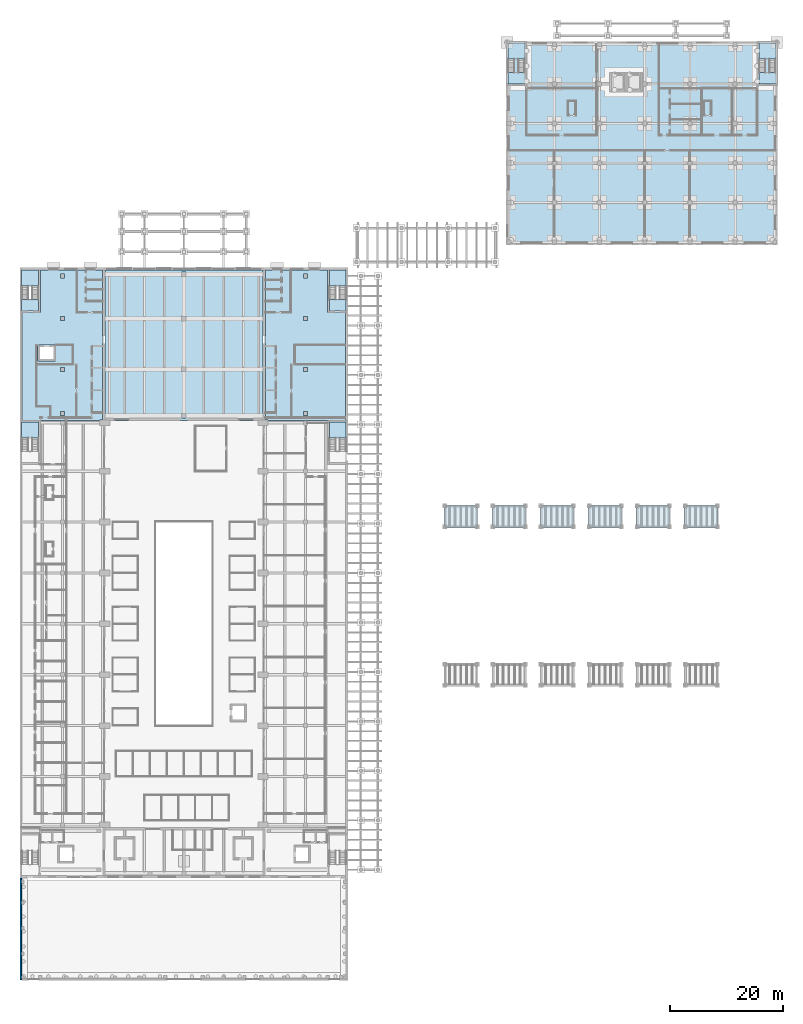
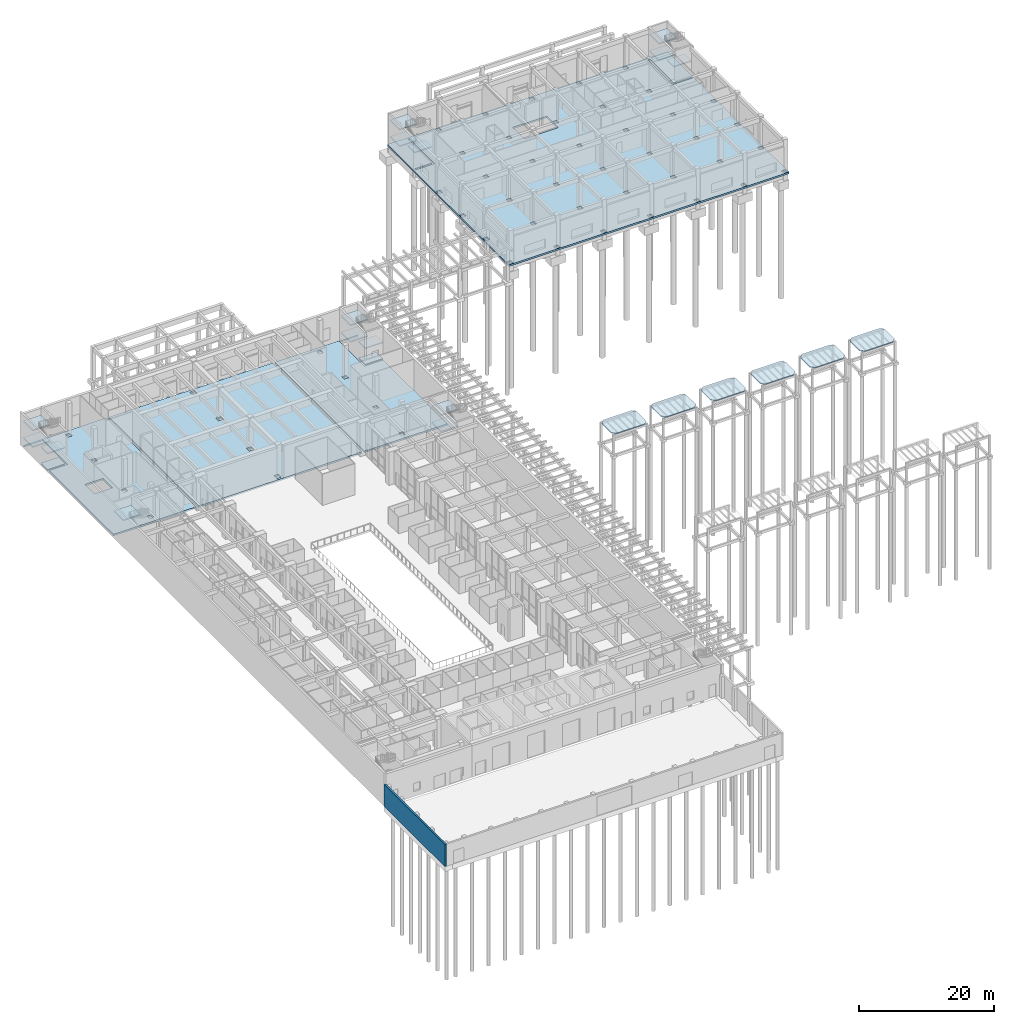
# One storey, part 27 of 51: 27 slabs, 1 wall, 6 elements without a shape of their own.
"""IFC4 building model written with IfcOpenShell, lengths in metres."""

from ifc_helpers import new_model, si_unit, direction, frame, frame_2d, origin, place, context, subcontext, project, spatial, polyline, rectangle, outline, extrude, material, layer, layer_set, type_object, element, aggregate, save


model = new_model("IFC4")

# Units and contexts
model_context = context("Model", 3, precision=1e-05, world=origin(), true_north=direction((0.0, 1.0)))
body_context = subcontext(model_context, "Body", "Model", "MODEL_VIEW")
ifc_project = project(units=[si_unit("LENGTHUNIT", "METRE"), si_unit("AREAUNIT", "SQUARE_METRE"), si_unit("VOLUMEUNIT", "CUBIC_METRE"), si_unit("PLANEANGLEUNIT", "RADIAN"), si_unit("MASSUNIT", "GRAM", prefix="KILO")], contexts=[model_context])

# Site, building, storey
site_placement = place(None, origin())
site = spatial("IfcSite", under=ifc_project, at=site_placement, CompositionType="ELEMENT")
building_placement = place(site_placement, origin())
building = spatial("IfcBuilding", under=site, at=building_placement, Name="Elmora Arch Market Hall", CompositionType="ELEMENT")
storey_placement = place(building_placement, origin())
storey = spatial("IfcBuildingStorey", under=building, at=storey_placement, Name="L00", CompositionType="ELEMENT", Elevation=0.0)

# Slabs
ifc_material_1 = material(Name="Concrete C32/40", Category="concrete")
ifc_layer_1 = layer(ifc_material_1, 0.14990234375)
ifc_layer_set_1 = layer_set([ifc_layer_1], Name="Concrete C32/40")
slab_type_1 = type_object("IfcSlabType", Name="Canopy slab 150", PredefinedType="ROOF", material=ifc_layer_set_1)
slab_1_placement = place(storey_placement, frame((0.0, 0.0, 3.35009765625)))
element("IfcSlab", 1, at=slab_1_placement, inside=storey, type_object=slab_type_1, Name="Stall canopy plate", PredefinedType="ROOF", context=body_context, shape_type="SweptSolid", body=[
    extrude(outline(polyline([(75.0, 80.60009765625), (75.0, 83.39990234375), (75.60009765625, 84.0), (80.39990234375, 84.0), (81.0, 83.39990234375), (81.0, 80.60009765625), (80.39990234375, 80.0), (75.60009765625, 80.0), (75.0, 80.60009765625)])), origin(), (0.0, 0.0, 1.0), 0.14990234375),
])
slab_2_placement = place(storey_placement, frame((0.0, 0.0, 3.35009765625)))
element("IfcSlab", 2, at=slab_2_placement, inside=storey, type_object=slab_type_1, Name="Stall canopy plate", PredefinedType="ROOF", context=body_context, shape_type="SweptSolid", body=[
    extrude(outline(polyline([(83.5, 80.60009765625), (83.5, 83.39990234375), (84.10009765625, 84.0), (88.89990234375, 84.0), (89.5, 83.39990234375), (89.5, 80.60009765625), (88.89990234375, 80.0), (84.10009765625, 80.0), (83.5, 80.60009765625)])), origin(), (0.0, 0.0, 1.0), 0.14990234375),
])
slab_3_placement = place(storey_placement, frame((0.0, 0.0, 3.35009765625)))
element("IfcSlab", 3, at=slab_3_placement, inside=storey, type_object=slab_type_1, Name="Stall canopy plate", PredefinedType="ROOF", context=body_context, shape_type="SweptSolid", body=[
    extrude(outline(polyline([(92.0, 80.60009765625), (92.0, 83.39990234375), (92.60009765625, 84.0), (97.39990234375, 84.0), (98.0, 83.39990234375), (98.0, 80.60009765625), (97.39990234375, 80.0), (92.60009765625, 80.0), (92.0, 80.60009765625)])), origin(), (0.0, 0.0, 1.0), 0.14990234375),
])
slab_4_placement = place(storey_placement, frame((0.0, 0.0, 3.35009765625)))
element("IfcSlab", 4, at=slab_4_placement, inside=storey, type_object=slab_type_1, Name="Stall canopy plate", PredefinedType="ROOF", context=body_context, shape_type="SweptSolid", body=[
    extrude(outline(polyline([(100.5, 80.60009765625), (100.5, 83.39990234375), (101.10009765625, 84.0), (105.89990234375, 84.0), (106.5, 83.39990234375), (106.5, 80.60009765625), (105.89990234375, 80.0), (101.10009765625, 80.0), (100.5, 80.60009765625)])), origin(), (0.0, 0.0, 1.0), 0.14990234375),
])
slab_5_placement = place(storey_placement, frame((0.0, 0.0, 3.35009765625)))
element("IfcSlab", 5, at=slab_5_placement, inside=storey, type_object=slab_type_1, Name="Stall canopy plate", PredefinedType="ROOF", context=body_context, shape_type="SweptSolid", body=[
    extrude(outline(polyline([(109.0, 80.60009765625), (109.0, 83.39990234375), (109.60009765625, 84.0), (114.39990234375, 84.0), (115.0, 83.39990234375), (115.0, 80.60009765625), (114.39990234375, 80.0), (109.60009765625, 80.0), (109.0, 80.60009765625)])), origin(), (0.0, 0.0, 1.0), 0.14990234375),
])
slab_6_placement = place(storey_placement, frame((0.0, 0.0, 3.35009765625)))
element("IfcSlab", 6, at=slab_6_placement, inside=storey, type_object=slab_type_1, Name="Stall canopy plate", PredefinedType="ROOF", context=body_context, shape_type="SweptSolid", body=[
    extrude(outline(polyline([(117.5, 80.60009765625), (117.5, 83.39990234375), (118.10009765625, 84.0), (122.89990234375, 84.0), (123.5, 83.39990234375), (123.5, 80.60009765625), (122.89990234375, 80.0), (118.10009765625, 80.0), (117.5, 80.60009765625)])), origin(), (0.0, 0.0, 1.0), 0.14990234375),
])
ifc_material_2 = material(Name="Concrete C32/40", Category="concrete")
ifc_layer_2 = layer(ifc_material_2, 0.300048828125)
ifc_layer_set_2 = layer_set([ifc_layer_2], Name="Concrete C32/40")
slab_type_2 = type_object("IfcSlabType", Name="Floor slab 300", PredefinedType="FLOOR", material=ifc_layer_set_2)
slab_7_placement = place(storey_placement, frame((0.0, 0.0, -0.300048828125)))
element("IfcSlab", 7, at=slab_7_placement, inside=storey, type_object=slab_type_2, Name="L00 floor slab NW", PredefinedType="FLOOR", context=body_context, shape_type="SweptSolid", body=[
    extrude(outline(polyline([(0.40087890625, 99.0), (0.40087890625, 118.049072265625), (3.60107421875, 118.049072265625), (3.60107421875, 125.551025390625), (0.40087890625, 125.551025390625), (0.40087890625, 125.59912109375), (14.59912109375, 125.59912109375), (14.59912109375, 99.051025390625), (14.09912109375, 99.051025390625), (14.09912109375, 99.0), (0.40087890625, 99.0)]), holes=[polyline([(7.85107421875, 124.85107421875), (7.14892578125, 124.85107421875), (7.14892578125, 124.14892578125), (7.85107421875, 124.14892578125), (7.85107421875, 124.85107421875)]), polyline([(7.85107421875, 117.35107421875), (7.14892578125, 117.35107421875), (7.14892578125, 116.64892578125), (7.85107421875, 116.64892578125), (7.85107421875, 117.35107421875)]), polyline([(7.85107421875, 108.35107421875), (7.14892578125, 108.35107421875), (7.14892578125, 107.64892578125), (7.85107421875, 107.64892578125), (7.85107421875, 108.35107421875)]), polyline([(7.85107421875, 100.551025390625), (7.14892578125, 100.551025390625), (7.14892578125, 99.84912109375), (7.85107421875, 99.84912109375), (7.85107421875, 100.551025390625)]), polyline([(6.301025390625, 112.301025390625), (3.198974609375, 112.301025390625), (3.198974609375, 109.4990234375), (6.301025390625, 109.4990234375), (6.301025390625, 112.301025390625)])]), origin(), (0.0, 0.0, 1.0), 0.300048828125),
])
slab_8_placement = place(storey_placement, frame((0.0, 0.0, -0.300048828125)))
element("IfcSlab", 8, at=slab_8_placement, inside=storey, type_object=slab_type_2, Name="L00 floor slab NE", PredefinedType="FLOOR", context=body_context, shape_type="SweptSolid", body=[
    extrude(outline(polyline([(43.90087890625, 99.0), (43.90087890625, 99.051025390625), (43.40087890625, 99.051025390625), (43.40087890625, 125.59912109375), (57.59912109375, 125.59912109375), (57.59912109375, 125.551025390625), (54.39892578125, 125.551025390625), (54.39892578125, 118.049072265625), (57.59912109375, 118.049072265625), (57.59912109375, 99.0), (43.90087890625, 99.0)]), holes=[polyline([(50.85107421875, 117.35107421875), (50.14892578125, 117.35107421875), (50.14892578125, 116.64892578125), (50.85107421875, 116.64892578125), (50.85107421875, 117.35107421875)]), polyline([(50.85107421875, 124.85107421875), (50.14892578125, 124.85107421875), (50.14892578125, 124.14892578125), (50.85107421875, 124.14892578125), (50.85107421875, 124.85107421875)]), polyline([(50.85107421875, 108.35107421875), (50.14892578125, 108.35107421875), (50.14892578125, 107.64892578125), (50.85107421875, 107.64892578125), (50.85107421875, 108.35107421875)]), polyline([(50.85107421875, 100.551025390625), (50.14892578125, 100.551025390625), (50.14892578125, 99.84912109375), (50.85107421875, 99.84912109375), (50.85107421875, 100.551025390625)])]), origin(), (0.0, 0.0, 1.0), 0.300048828125),
])
slab_9_placement = place(storey_placement, frame((0.0, 0.0, -0.300048828125)))
element("IfcSlab", 9, at=slab_9_placement, inside=storey, type_object=slab_type_2, Name="L00 floor slab NM", PredefinedType="FLOOR", context=body_context, shape_type="SweptSolid", body=[
    extrude(outline(polyline([(15.90087890625, 99.0), (15.90087890625, 99.051025390625), (15.0009765625, 99.051025390625), (15.0009765625, 125.59912109375), (42.9990234375, 125.59912109375), (42.9990234375, 99.051025390625), (42.09912109375, 99.051025390625), (42.09912109375, 99.0), (15.90087890625, 99.0)]), holes=[polyline([(29.40087890625, 117.40087890625), (28.59912109375, 117.40087890625), (28.59912109375, 116.59912109375), (29.40087890625, 116.59912109375), (29.40087890625, 117.40087890625)]), polyline([(29.40087890625, 100.200927734375), (28.59912109375, 100.200927734375), (28.59912109375, 99.39892578125), (29.40087890625, 99.39892578125), (29.40087890625, 100.200927734375)]), polyline([(29.40087890625, 108.40087890625), (28.59912109375, 108.40087890625), (28.59912109375, 107.59912109375), (29.40087890625, 107.59912109375), (29.40087890625, 108.40087890625)]), polyline([(29.40087890625, 125.200927734375), (28.59912109375, 125.200927734375), (28.59912109375, 124.39892578125), (29.40087890625, 124.39892578125), (29.40087890625, 125.200927734375)])]), origin(), (0.0, 0.0, 1.0), 0.300048828125),
])
slab_10_placement = place(storey_placement, frame((0.0, 0.0, -0.300048828125)))
element("IfcSlab", 10, at=slab_10_placement, inside=storey, type_object=slab_type_2, Name="L00 floor slab SCH", PredefinedType="FLOOR", context=body_context, shape_type="SweptSolid", body=[
    extrude(outline(polyline([(86.0, 130.0), (86.0, 166.0), (134.0, 166.0), (134.0, 130.0), (86.0, 130.0)]), holes=[polyline([(133.85107421875, 151.85107421875), (133.14892578125, 151.85107421875), (133.14892578125, 151.14892578125), (133.85107421875, 151.14892578125), (133.85107421875, 151.85107421875)]), polyline([(133.85107421875, 144.85107421875), (133.14892578125, 144.85107421875), (133.14892578125, 144.14892578125), (133.85107421875, 144.14892578125), (133.85107421875, 144.85107421875)]), polyline([(133.85107421875, 137.85107421875), (133.14892578125, 137.85107421875), (133.14892578125, 137.14892578125), (133.85107421875, 137.14892578125), (133.85107421875, 137.85107421875)]), polyline([(133.85107421875, 130.85107421875), (133.14892578125, 130.85107421875), (133.14892578125, 130.14892578125), (133.85107421875, 130.14892578125), (133.85107421875, 130.85107421875)]), polyline([(130.39892578125, 165.700927734375), (130.39892578125, 158.198974609375), (133.700927734375, 158.198974609375), (133.700927734375, 158.5009765625), (130.700927734375, 158.5009765625), (130.700927734375, 165.700927734375), (130.39892578125, 165.700927734375)]), polyline([(126.85107421875, 165.85107421875), (126.14892578125, 165.85107421875), (126.14892578125, 165.14892578125), (126.85107421875, 165.14892578125), (126.85107421875, 165.85107421875)]), polyline([(126.85107421875, 158.85107421875), (126.14892578125, 158.85107421875), (126.14892578125, 158.14892578125), (126.85107421875, 158.14892578125), (126.85107421875, 158.85107421875)]), polyline([(126.85107421875, 151.85107421875), (126.14892578125, 151.85107421875), (126.14892578125, 151.14892578125), (126.85107421875, 151.14892578125), (126.85107421875, 151.85107421875)]), polyline([(126.85107421875, 144.85107421875), (126.14892578125, 144.85107421875), (126.14892578125, 144.14892578125), (126.85107421875, 144.14892578125), (126.85107421875, 144.85107421875)]), polyline([(126.85107421875, 137.85107421875), (126.14892578125, 137.85107421875), (126.14892578125, 137.14892578125), (126.85107421875, 137.14892578125), (126.85107421875, 137.85107421875)]), polyline([(126.85107421875, 130.85107421875), (126.14892578125, 130.85107421875), (126.14892578125, 130.14892578125), (126.85107421875, 130.14892578125), (126.85107421875, 130.85107421875)]), polyline([(118.85107421875, 165.85107421875), (118.14892578125, 165.85107421875), (118.14892578125, 165.14892578125), (118.85107421875, 165.14892578125), (118.85107421875, 165.85107421875)]), polyline([(118.85107421875, 158.85107421875), (118.14892578125, 158.85107421875), (118.14892578125, 158.14892578125), (118.85107421875, 158.14892578125), (118.85107421875, 158.85107421875)]), polyline([(118.85107421875, 151.85107421875), (118.14892578125, 151.85107421875), (118.14892578125, 151.14892578125), (118.85107421875, 151.14892578125), (118.85107421875, 151.85107421875)]), polyline([(118.85107421875, 144.85107421875), (118.14892578125, 144.85107421875), (118.14892578125, 144.14892578125), (118.85107421875, 144.14892578125), (118.85107421875, 144.85107421875)]), polyline([(118.85107421875, 137.85107421875), (118.14892578125, 137.85107421875), (118.14892578125, 137.14892578125), (118.85107421875, 137.14892578125), (118.85107421875, 137.85107421875)]), polyline([(118.85107421875, 130.85107421875), (118.14892578125, 130.85107421875), (118.14892578125, 130.14892578125), (118.85107421875, 130.14892578125), (118.85107421875, 130.85107421875)]), polyline([(110.85107421875, 130.85107421875), (110.14892578125, 130.85107421875), (110.14892578125, 130.14892578125), (110.85107421875, 130.14892578125), (110.85107421875, 130.85107421875)]), polyline([(110.85107421875, 137.85107421875), (110.14892578125, 137.85107421875), (110.14892578125, 137.14892578125), (110.85107421875, 137.14892578125), (110.85107421875, 137.85107421875)]), polyline([(110.85107421875, 144.85107421875), (110.14892578125, 144.85107421875), (110.14892578125, 144.14892578125), (110.85107421875, 144.14892578125), (110.85107421875, 144.85107421875)]), polyline([(110.85107421875, 158.85107421875), (110.14892578125, 158.85107421875), (110.14892578125, 158.14892578125), (110.85107421875, 158.14892578125), (110.85107421875, 158.85107421875)]), polyline([(110.85107421875, 165.85107421875), (110.14892578125, 165.85107421875), (110.14892578125, 165.14892578125), (110.85107421875, 165.14892578125), (110.85107421875, 165.85107421875)]), polyline([(110.85107421875, 151.85107421875), (110.14892578125, 151.85107421875), (110.14892578125, 151.14892578125), (110.85107421875, 151.14892578125), (110.85107421875, 151.85107421875)]), polyline([(110.10107421875, 157.09912109375), (110.10107421875, 160.5009765625), (104.299072265625, 160.5009765625), (104.299072265625, 157.09912109375), (110.10107421875, 157.09912109375)]), polyline([(102.85107421875, 158.85107421875), (102.14892578125, 158.85107421875), (102.14892578125, 158.14892578125), (102.85107421875, 158.14892578125), (102.85107421875, 158.85107421875)]), polyline([(102.85107421875, 130.85107421875), (102.14892578125, 130.85107421875), (102.14892578125, 130.14892578125), (102.85107421875, 130.14892578125), (102.85107421875, 130.85107421875)]), polyline([(102.85107421875, 137.85107421875), (102.14892578125, 137.85107421875), (102.14892578125, 137.14892578125), (102.85107421875, 137.14892578125), (102.85107421875, 137.85107421875)]), polyline([(102.85107421875, 144.85107421875), (102.14892578125, 144.85107421875), (102.14892578125, 144.14892578125), (102.85107421875, 144.14892578125), (102.85107421875, 144.85107421875)]), polyline([(102.85107421875, 151.85107421875), (102.14892578125, 151.85107421875), (102.14892578125, 151.14892578125), (102.85107421875, 151.14892578125), (102.85107421875, 151.85107421875)]), polyline([(102.85107421875, 165.85107421875), (102.14892578125, 165.85107421875), (102.14892578125, 165.14892578125), (102.85107421875, 165.14892578125), (102.85107421875, 165.85107421875)]), polyline([(94.85107421875, 165.85107421875), (94.14892578125, 165.85107421875), (94.14892578125, 165.14892578125), (94.85107421875, 165.14892578125), (94.85107421875, 165.85107421875)]), polyline([(94.85107421875, 158.85107421875), (94.14892578125, 158.85107421875), (94.14892578125, 158.14892578125), (94.85107421875, 158.14892578125), (94.85107421875, 158.85107421875)]), polyline([(94.85107421875, 151.85107421875), (94.14892578125, 151.85107421875), (94.14892578125, 151.14892578125), (94.85107421875, 151.14892578125), (94.85107421875, 151.85107421875)]), polyline([(94.85107421875, 144.85107421875), (94.14892578125, 144.85107421875), (94.14892578125, 144.14892578125), (94.85107421875, 144.14892578125), (94.85107421875, 144.85107421875)]), polyline([(94.85107421875, 137.85107421875), (94.14892578125, 137.85107421875), (94.14892578125, 137.14892578125), (94.85107421875, 137.14892578125), (94.85107421875, 137.85107421875)]), polyline([(94.85107421875, 130.85107421875), (94.14892578125, 130.85107421875), (94.14892578125, 130.14892578125), (94.85107421875, 130.14892578125), (94.85107421875, 130.85107421875)]), polyline([(89.60107421875, 158.198974609375), (89.60107421875, 165.700927734375), (89.299072265625, 165.700927734375), (89.299072265625, 158.5009765625), (86.299072265625, 158.5009765625), (86.299072265625, 158.198974609375), (89.60107421875, 158.198974609375)]), polyline([(86.85107421875, 151.85107421875), (86.14892578125, 151.85107421875), (86.14892578125, 151.14892578125), (86.85107421875, 151.14892578125), (86.85107421875, 151.85107421875)]), polyline([(86.85107421875, 144.85107421875), (86.14892578125, 144.85107421875), (86.14892578125, 144.14892578125), (86.85107421875, 144.14892578125), (86.85107421875, 144.85107421875)]), polyline([(86.85107421875, 137.85107421875), (86.14892578125, 137.85107421875), (86.14892578125, 137.14892578125), (86.85107421875, 137.14892578125), (86.85107421875, 137.85107421875)]), polyline([(86.85107421875, 130.85107421875), (86.14892578125, 130.85107421875), (86.14892578125, 130.14892578125), (86.85107421875, 130.14892578125), (86.85107421875, 130.85107421875)])]), origin(), (0.0, 0.0, 1.0), 0.300048828125),
])

# Stair, slabs
ifc_material_3 = material(Name="Concrete C40/50", Category="concrete")
stair_type = type_object("IfcStairType", Name="Exit stair 1200", PredefinedType="TWO_STRAIGHT_RUN_STAIR", material=ifc_material_3)
stair_1_placement = place(storey_placement, origin())
stair_1 = element("IfcStair", 11, at=stair_1_placement, inside=storey, type_object=stair_type, Name="Stair ST-W L00", PredefinedType="TWO_STRAIGHT_RUN_STAIR")
ifc_material_4 = material(Name="Concrete C32/40", Category="concrete")
ifc_layer_3 = layer(ifc_material_4, 0.199951171875)
ifc_layer_set_3 = layer_set([ifc_layer_3], Name="Concrete C32/40")
slab_type_3 = type_object("IfcSlabType", Name="Stair landing 200", PredefinedType="LANDING", material=ifc_layer_set_3)
slab_11_placement = place(storey_placement, frame((0.0, 0.0, -0.199951171875)))
slab_11 = element("IfcSlab", 12, at=slab_11_placement, type_object=slab_type_3, Name="Stair ST-W L00 landing 1", PredefinedType="LANDING", context=body_context, shape_type="SweptSolid", body=[
    extrude(outline(polyline([(0.300048828125, 118.35009765625), (3.300048828125, 118.35009765625), (3.300048828125, 120.35009765625), (0.300048828125, 120.35009765625), (0.300048828125, 118.35009765625)])), origin(), (0.0, 0.0, 1.0), 0.199951171875),
])
slab_12_placement = place(storey_placement, frame((0.0, 0.0, 1.300048828125)))
slab_12 = element("IfcSlab", 13, at=slab_12_placement, type_object=slab_type_3, Name="Stair ST-W L00 landing 2", PredefinedType="LANDING", context=body_context, shape_type="SweptSolid", body=[
    extrude(outline(polyline([(0.300048828125, 122.75), (3.300048828125, 122.75), (3.300048828125, 125.550048828125), (0.300048828125, 125.550048828125), (0.300048828125, 122.75)])), origin(), (0.0, 0.0, 1.0), 0.199951171875),
])
slab_13_placement = place(storey_placement, frame((0.0, 0.0, 2.800048828125)))
slab_13 = element("IfcSlab", 14, at=slab_13_placement, type_object=slab_type_3, Name="Stair ST-W L00 landing 3", PredefinedType="LANDING", context=body_context, shape_type="SweptSolid", body=[
    extrude(outline(polyline([(0.300048828125, 118.35009765625), (3.300048828125, 118.35009765625), (3.300048828125, 120.35009765625), (0.300048828125, 120.35009765625), (0.300048828125, 118.35009765625)])), origin(), (0.0, 0.0, 1.0), 0.199951171875),
])
slab_14_placement = place(storey_placement, frame((0.0, 0.0, 4.300048828125)))
slab_14 = element("IfcSlab", 15, at=slab_14_placement, type_object=slab_type_3, Name="Stair ST-W L00 landing 4", PredefinedType="LANDING", context=body_context, shape_type="SweptSolid", body=[
    extrude(outline(polyline([(0.300048828125, 122.75), (3.300048828125, 122.75), (3.300048828125, 125.550048828125), (0.300048828125, 125.550048828125), (0.300048828125, 122.75)])), origin(), (0.0, 0.0, 1.0), 0.199951171875),
])
aggregate(stair_1, [slab_11, slab_12, slab_13, slab_14])

stair_2_placement = place(storey_placement, origin())
stair_2 = element("IfcStair", 16, at=stair_2_placement, inside=storey, type_object=stair_type, Name="Stair ST-E L00", PredefinedType="TWO_STRAIGHT_RUN_STAIR")
slab_15_placement = place(storey_placement, frame((0.0, 0.0, -0.199951171875)))
slab_15 = element("IfcSlab", 17, at=slab_15_placement, type_object=slab_type_3, Name="Stair ST-E L00 landing 1", PredefinedType="LANDING", context=body_context, shape_type="SweptSolid", body=[
    extrude(outline(polyline([(54.699951171875, 118.35009765625), (57.699951171875, 118.35009765625), (57.699951171875, 120.35009765625), (54.699951171875, 120.35009765625), (54.699951171875, 118.35009765625)])), origin(), (0.0, 0.0, 1.0), 0.199951171875),
])
slab_16_placement = place(storey_placement, frame((0.0, 0.0, 1.300048828125)))
slab_16 = element("IfcSlab", 18, at=slab_16_placement, type_object=slab_type_3, Name="Stair ST-E L00 landing 2", PredefinedType="LANDING", context=body_context, shape_type="SweptSolid", body=[
    extrude(outline(polyline([(54.699951171875, 122.75), (57.699951171875, 122.75), (57.699951171875, 125.550048828125), (54.699951171875, 125.550048828125), (54.699951171875, 122.75)])), origin(), (0.0, 0.0, 1.0), 0.199951171875),
])
slab_17_placement = place(storey_placement, frame((0.0, 0.0, 2.800048828125)))
slab_17 = element("IfcSlab", 19, at=slab_17_placement, type_object=slab_type_3, Name="Stair ST-E L00 landing 3", PredefinedType="LANDING", context=body_context, shape_type="SweptSolid", body=[
    extrude(outline(polyline([(54.699951171875, 118.35009765625), (57.699951171875, 118.35009765625), (57.699951171875, 120.35009765625), (54.699951171875, 120.35009765625), (54.699951171875, 118.35009765625)])), origin(), (0.0, 0.0, 1.0), 0.199951171875),
])
slab_18_placement = place(storey_placement, frame((0.0, 0.0, 4.300048828125)))
slab_18 = element("IfcSlab", 20, at=slab_18_placement, type_object=slab_type_3, Name="Stair ST-E L00 landing 4", PredefinedType="LANDING", context=body_context, shape_type="SweptSolid", body=[
    extrude(outline(polyline([(54.699951171875, 122.75), (57.699951171875, 122.75), (57.699951171875, 125.550048828125), (54.699951171875, 125.550048828125), (54.699951171875, 122.75)])), origin(), (0.0, 0.0, 1.0), 0.199951171875),
])
aggregate(stair_2, [slab_15, slab_16, slab_17, slab_18])

stair_3_placement = place(storey_placement, origin())
stair_3 = element("IfcStair", 21, at=stair_3_placement, inside=storey, type_object=stair_type, Name="Stair ST-EN L00", PredefinedType="TWO_STRAIGHT_RUN_STAIR")
slab_19_placement = place(storey_placement, frame((0.0, 0.0, 1.300048828125)))
slab_19 = element("IfcSlab", 22, at=slab_19_placement, type_object=slab_type_3, Name="Stair ST-EN L00 landing 1", PredefinedType="LANDING", context=body_context, shape_type="SweptSolid", body=[
    extrude(outline(polyline([(54.699951171875, 95.89990234375), (57.699951171875, 95.89990234375), (57.699951171875, 98.699951171875), (54.699951171875, 98.699951171875), (54.699951171875, 95.89990234375)])), origin(), (0.0, 0.0, 1.0), 0.199951171875),
])
slab_20_placement = place(storey_placement, frame((0.0, 0.0, 4.300048828125)))
slab_20 = element("IfcSlab", 23, at=slab_20_placement, type_object=slab_type_3, Name="Stair ST-EN L00 landing 3", PredefinedType="LANDING", context=body_context, shape_type="SweptSolid", body=[
    extrude(outline(polyline([(54.699951171875, 95.89990234375), (57.699951171875, 95.89990234375), (57.699951171875, 98.699951171875), (54.699951171875, 98.699951171875), (54.699951171875, 95.89990234375)])), origin(), (0.0, 0.0, 1.0), 0.199951171875),
])
aggregate(stair_3, [slab_19, slab_20])

# Stair, slab
stair_4_placement = place(storey_placement, origin())
stair_4 = element("IfcStair", 24, at=stair_4_placement, inside=storey, type_object=stair_type, Name="Stair ST-WN L00", PredefinedType="TWO_STRAIGHT_RUN_STAIR")
slab_21_placement = place(storey_placement, frame((0.0, 0.0, 4.300048828125)))
slab_21 = element("IfcSlab", 25, at=slab_21_placement, type_object=slab_type_3, Name="Stair ST-WN L00 landing 3", PredefinedType="LANDING", context=body_context, shape_type="SweptSolid", body=[
    extrude(outline(polyline([(0.300048828125, 95.89990234375), (3.300048828125, 95.89990234375), (3.300048828125, 98.699951171875), (0.300048828125, 98.699951171875), (0.300048828125, 95.89990234375)])), origin(), (0.0, 0.0, 1.0), 0.199951171875),
])
aggregate(stair_4, [slab_21])

# Stair, slabs
stair_5_placement = place(storey_placement, origin())
stair_5 = element("IfcStair", 26, at=stair_5_placement, inside=storey, type_object=stair_type, Name="Stair ST-SCW L00", PredefinedType="TWO_STRAIGHT_RUN_STAIR")
slab_22_placement = place(storey_placement, frame((0.0, 0.0, 1.300048828125)))
slab_22 = element("IfcSlab", 27, at=slab_22_placement, type_object=slab_type_3, Name="Stair ST-SCW L00 landing 1", PredefinedType="LANDING", context=body_context, shape_type="SweptSolid", body=[
    extrude(outline(polyline([(86.300048828125, 162.89990234375), (89.300048828125, 162.89990234375), (89.300048828125, 165.699951171875), (86.300048828125, 165.699951171875), (86.300048828125, 162.89990234375)])), origin(), (0.0, 0.0, 1.0), 0.199951171875),
])
slab_23_placement = place(storey_placement, frame((0.0, 0.0, 2.800048828125)))
slab_23 = element("IfcSlab", 28, at=slab_23_placement, type_object=slab_type_3, Name="Stair ST-SCW L00 landing 2", PredefinedType="LANDING", context=body_context, shape_type="SweptSolid", body=[
    extrude(outline(polyline([(86.300048828125, 158.5), (89.300048828125, 158.5), (89.300048828125, 160.5), (86.300048828125, 160.5), (86.300048828125, 158.5)])), origin(), (0.0, 0.0, 1.0), 0.199951171875),
])
slab_24_placement = place(storey_placement, frame((0.0, 0.0, 4.300048828125)))
slab_24 = element("IfcSlab", 29, at=slab_24_placement, type_object=slab_type_3, Name="Stair ST-SCW L00 landing 3", PredefinedType="LANDING", context=body_context, shape_type="SweptSolid", body=[
    extrude(outline(polyline([(86.300048828125, 162.89990234375), (89.300048828125, 162.89990234375), (89.300048828125, 165.699951171875), (86.300048828125, 165.699951171875), (86.300048828125, 162.89990234375)])), origin(), (0.0, 0.0, 1.0), 0.199951171875),
])
aggregate(stair_5, [slab_22, slab_23, slab_24])

stair_6_placement = place(storey_placement, origin())
stair_6 = element("IfcStair", 30, at=stair_6_placement, inside=storey, type_object=stair_type, Name="Stair ST-SCE L00", PredefinedType="TWO_STRAIGHT_RUN_STAIR")
slab_25_placement = place(storey_placement, frame((0.0, 0.0, 1.300048828125)))
slab_25 = element("IfcSlab", 31, at=slab_25_placement, type_object=slab_type_3, Name="Stair ST-SCE L00 landing 1", PredefinedType="LANDING", context=body_context, shape_type="SweptSolid", body=[
    extrude(outline(polyline([(130.699951171875, 162.89990234375), (133.699951171875, 162.89990234375), (133.699951171875, 165.699951171875), (130.699951171875, 165.699951171875), (130.699951171875, 162.89990234375)])), origin(), (0.0, 0.0, 1.0), 0.199951171875),
])
slab_26_placement = place(storey_placement, frame((0.0, 0.0, 2.800048828125)))
slab_26 = element("IfcSlab", 32, at=slab_26_placement, type_object=slab_type_3, Name="Stair ST-SCE L00 landing 2", PredefinedType="LANDING", context=body_context, shape_type="SweptSolid", body=[
    extrude(outline(polyline([(130.699951171875, 158.5), (133.699951171875, 158.5), (133.699951171875, 160.5), (130.699951171875, 160.5), (130.699951171875, 158.5)])), origin(), (0.0, 0.0, 1.0), 0.199951171875),
])
slab_27_placement = place(storey_placement, frame((0.0, 0.0, 4.300048828125)))
slab_27 = element("IfcSlab", 33, at=slab_27_placement, type_object=slab_type_3, Name="Stair ST-SCE L00 landing 3", PredefinedType="LANDING", context=body_context, shape_type="SweptSolid", body=[
    extrude(outline(polyline([(130.699951171875, 162.89990234375), (133.699951171875, 162.89990234375), (133.699951171875, 165.699951171875), (130.699951171875, 165.699951171875), (130.699951171875, 162.89990234375)])), origin(), (0.0, 0.0, 1.0), 0.199951171875),
])
aggregate(stair_6, [slab_25, slab_26, slab_27])

# Wall
ifc_material_5 = material(Name="Concrete C40/50", Category="concrete")
ifc_layer_4 = layer(ifc_material_5, 0.300048828125)
ifc_layer_set_4 = layer_set([ifc_layer_4], Name="Concrete C40/50")
wall_type = type_object("IfcWallType", Name="Board-marked concrete wall 300", PredefinedType="SOLIDWALL", material=ifc_layer_set_4)
wall_placement = place(storey_placement, frame((0.14990234375, 0.0, 0.0), z_axis=(0.0, 0.0, 1.0), x_axis=(0.0, 1.0, 0.0)))
element("IfcWall", 34, at=wall_placement, inside=storey, type_object=wall_type, Name="Yard boundary wall W", PredefinedType="SOLIDWALL", context=body_context, shape_type="SweptSolid", body=[
    extrude(rectangle(XDim=18.0, YDim=0.300048828125, at=frame_2d((9.0, 0.0))), origin(), (0.0, 0.0, 1.0), 4.0),
])

save(model, "model.ifc")
